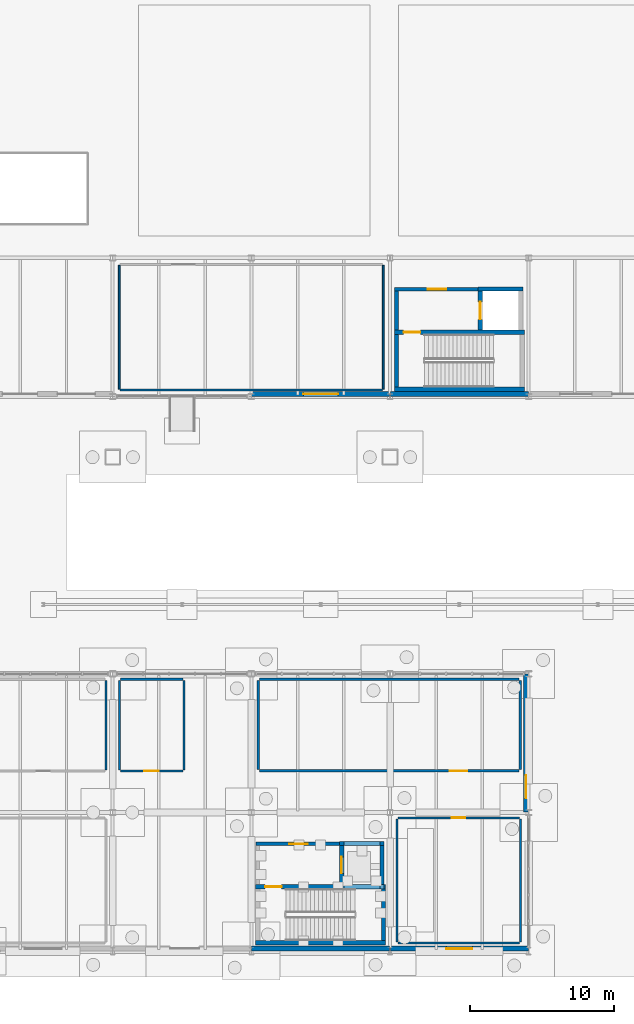
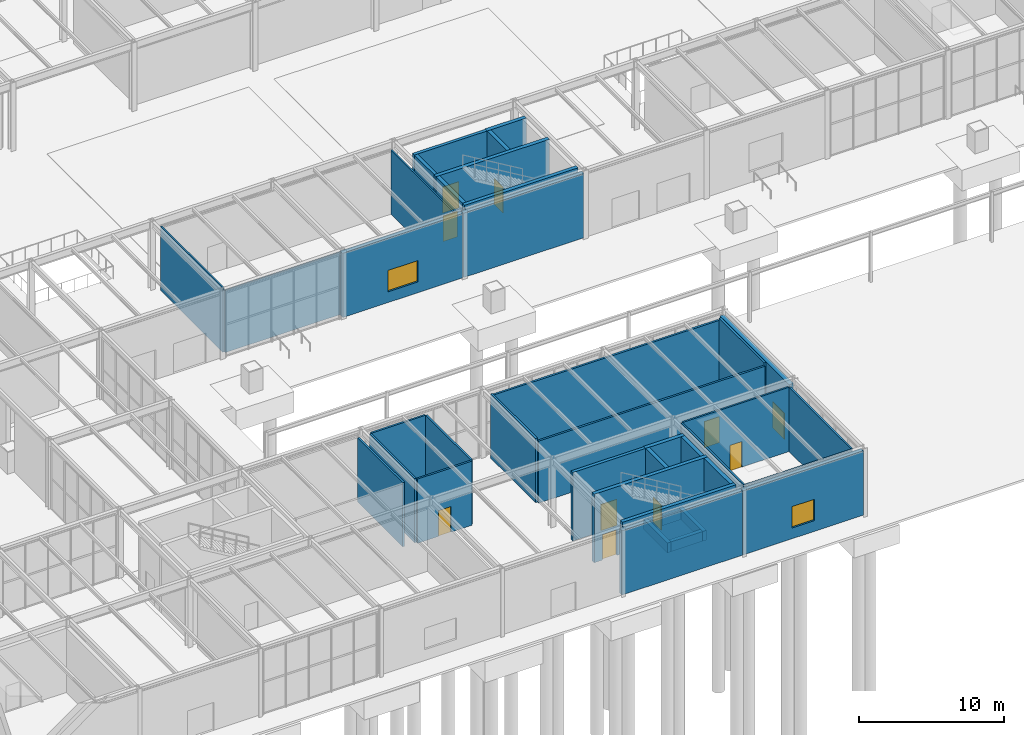
# One storey, part 119 of 142: 39 walls, 10 doors, 2 windows, 12 openings.
"""IFC4 building model written with IfcOpenShell, lengths in metres."""

from ifc_helpers import new_model, si_unit, direction, frame, frame_2d, origin, place, context, subcontext, project, spatial, rectangle, extrude, material, layer, layer_set, type_object, element, fill, save


model = new_model("IFC4")

# Units and contexts
model_context = context("Model", 3, precision=1e-05, world=origin(), true_north=direction((0.0, 1.0)))
body_context = subcontext(model_context, "Body", "Model", "MODEL_VIEW")
ifc_project = project(units=[si_unit("LENGTHUNIT", "METRE"), si_unit("AREAUNIT", "SQUARE_METRE"), si_unit("VOLUMEUNIT", "CUBIC_METRE"), si_unit("PLANEANGLEUNIT", "RADIAN"), si_unit("MASSUNIT", "GRAM", prefix="KILO")], contexts=[model_context])

# Site, building, storey
site_placement = place(None, origin())
site = spatial("IfcSite", under=ifc_project, at=site_placement, CompositionType="ELEMENT")
building_placement = place(site_placement, origin())
building = spatial("IfcBuilding", under=site, at=building_placement, Name="Coralgate Yard Interchange", CompositionType="ELEMENT")
storey_placement = place(building_placement, origin())
storey = spatial("IfcBuildingStorey", under=building, at=storey_placement, Name="L00", CompositionType="ELEMENT", Elevation=0.0)

# Wall
ifc_material_1 = material(Name="Concrete C40/50", Category="concrete")
ifc_layer_1 = layer(ifc_material_1, 0.300048828125)
ifc_layer_set_1 = layer_set([ifc_layer_1], Name="Concrete C40/50")
wall_type_1 = type_object("IfcWallType", Name="WAL-CW300", PredefinedType="SHEAR", material=ifc_layer_set_1)
wall_1_placement = place(storey_placement, frame((77.10009765625, 0.570068359375, 0.0), z_axis=(0.0, 0.0, 1.0), x_axis=(1.0, 0.0, 0.0)))
element("IfcWall", 1, at=wall_1_placement, inside=storey, type_object=wall_type_1, Name="C4 L00 stair south shear wall", PredefinedType="SHEAR", context=body_context, shape_type="SweptSolid", body=[
    extrude(rectangle(XDim=9.0, YDim=0.300048828125, at=frame_2d((4.5, 0.0))), origin(), (0.0, 0.0, 1.0), 5.75),
])

# Wall, opening, door
wall_2_placement = place(storey_placement, frame((86.10009765625, 4.449951171875, 0.0), z_axis=(0.0, 0.0, 1.0), x_axis=(-1.0, 0.0, 0.0)))
wall_2 = element("IfcWall", 2, at=wall_2_placement, inside=storey, type_object=wall_type_1, Name="C4 L00 stair north shear wall", PredefinedType="SHEAR", context=body_context, shape_type="SweptSolid", body=[
    extrude(rectangle(XDim=9.0, YDim=0.300048828125, at=frame_2d((4.5, 0.0))), origin(), (0.0, 0.0, 1.0), 5.75),
])
opening_1_placement = place(wall_2_placement, frame((7.199951171875, 0.0, 0.0)))
opening_1 = element("IfcOpeningElement", 3, at=opening_1_placement, cuts=wall_2, Name="Opening FD-1B", PredefinedType="OPENING", context=body_context, shape_type="SweptSolid", body=[
    extrude(rectangle(XDim=1.14990234375, YDim=2.14990234375, at=frame_2d((0.574951171875, 1.074951171875))), frame((0.0, 0.159912109375, 0.0), z_axis=(0.0, -1.0, 0.0), x_axis=(1.0, 0.0, 0.0)), (0.0, 0.0, 1.0), 0.320068359375),
])
ifc_material_2 = material(Name="Powder-coated steel fire door assembly", Category="steel")
door_type_1 = type_object("IfcDoorType", Name="DOR-FD-1B", OperationType="NOTDEFINED", PredefinedType="DOOR", material=ifc_material_2)
door_1_placement = place(opening_1_placement, origin())
door_1 = element("IfcDoor", 4, at=door_1_placement, inside=storey, type_object=door_type_1, Name="C4 L00 stair fire door", OperationType="SINGLE_SWING_RIGHT", OverallHeight=2.14990234375, OverallWidth=1.14990234375, PredefinedType="DOOR", context=body_context, shape_type="SweptSolid", body=[
    extrude(rectangle(XDim=1.14990234375, YDim=2.14990234375, at=frame_2d((0.574951171875, 1.074951171875))), frame((0.0, 0.02490234375, 0.0), z_axis=(0.0, -1.0, 0.0), x_axis=(1.0, 0.0, 0.0)), (0.0, 0.0, 1.0), 0.050048828125),
])
fill(opening_1, door_1)

# Wall
wall_3_placement = place(storey_placement, frame((85.949951171875, 4.300048828125, 0.0), z_axis=(0.0, 0.0, 1.0), x_axis=(0.0, -1.0, 0.0)))
element("IfcWall", 5, at=wall_3_placement, inside=storey, type_object=wall_type_1, Name="C4 L00 stair east shear wall", PredefinedType="SHEAR", context=body_context, shape_type="SweptSolid", body=[
    extrude(rectangle(XDim=3.580078125, YDim=0.300048828125, at=frame_2d((1.7900390625, 0.0))), origin(), (0.0, 0.0, 1.0), 5.75),
])

# Wall, opening, door
wall_4_placement = place(storey_placement, frame((83.050048828125, 7.300048828125, 0.0), z_axis=(0.0, 0.0, 1.0), x_axis=(0.0, -1.0, 0.0)))
wall_4 = element("IfcWall", 6, at=wall_4_placement, inside=storey, type_object=wall_type_1, Name="C4 L00 lift front shear wall", PredefinedType="SHEAR", context=body_context, shape_type="SweptSolid", body=[
    extrude(rectangle(XDim=2.699951171875, YDim=0.300048828125, at=frame_2d((1.35009765625, 0.0))), origin(), (0.0, 0.0, 1.0), 5.75),
])
opening_2_placement = place(wall_4_placement, frame((0.77490234375, 0.0, 0.0)))
opening_2 = element("IfcOpeningElement", 7, at=opening_2_placement, cuts=wall_4, Name="Opening LD-2", PredefinedType="OPENING", context=body_context, shape_type="SweptSolid", body=[
    extrude(rectangle(XDim=1.14990234375, YDim=2.10009765625, at=frame_2d((0.574951171875, 1.050048828125))), frame((0.0, 0.159912109375, 0.0), z_axis=(0.0, -1.0, 0.0), x_axis=(1.0, 0.0, 0.0)), (0.0, 0.0, 1.0), 0.320068359375),
])
ifc_material_3 = material(Name="Brushed stainless steel passenger lift landing door", Category="steel")
door_type_2 = type_object("IfcDoorType", Name="DOR-LD-2", OperationType="DOUBLE_DOOR_SLIDING", PredefinedType="DOOR", material=ifc_material_3)
door_2_placement = place(opening_2_placement, frame((1.14990234375, 0.0, 0.0), z_axis=(0.0, 0.0, 1.0), x_axis=(-1.0, 0.0, 0.0)))
door_2 = element("IfcDoor", 8, at=door_2_placement, inside=storey, type_object=door_type_2, Name="LF-02 L00 sliding lift landing door", OperationType="DOUBLE_DOOR_SLIDING", OverallHeight=2.10009765625, OverallWidth=1.14990234375, PredefinedType="DOOR", context=body_context, shape_type="SweptSolid", body=[
    extrude(rectangle(XDim=1.14990234375, YDim=2.10009765625, at=frame_2d((0.574951171875, 1.050048828125))), frame((0.0, 0.02490234375, 0.0), z_axis=(0.0, -1.0, 0.0), x_axis=(1.0, 0.0, 0.0)), (0.0, 0.0, 1.0), 0.050048828125),
])
fill(opening_2, door_2)

# Walls
wall_5_placement = place(storey_placement, frame((85.85009765625, 4.60009765625, 0.0), z_axis=(0.0, 0.0, 1.0), x_axis=(0.0, 1.0, 0.0)))
element("IfcWall", 9, at=wall_5_placement, inside=storey, type_object=wall_type_1, Name="C4 L00 lift rear shear wall", PredefinedType="SHEAR", context=body_context, shape_type="SweptSolid", body=[
    extrude(rectangle(XDim=2.699951171875, YDim=0.300048828125, at=frame_2d((1.35009765625, 0.0))), origin(), (0.0, 0.0, 1.0), 5.75),
])
wall_6_placement = place(storey_placement, frame((82.89990234375, 7.449951171875, 0.0), z_axis=(0.0, 0.0, 1.0), x_axis=(1.0, 0.0, 0.0)))
element("IfcWall", 10, at=wall_6_placement, inside=storey, type_object=wall_type_1, Name="C4 L00 lift north shear wall", PredefinedType="SHEAR", context=body_context, shape_type="SweptSolid", body=[
    extrude(rectangle(XDim=3.10009765625, YDim=0.300048828125, at=frame_2d((1.550048828125, 0.0))), origin(), (0.0, 0.0, 1.0), 5.75),
])
for number, where, z_axis, x_axis, name in (
    (11, (83.050048828125, 4.300048828125, -1.199951171875), (0.0, 0.0, 1.0), (0.0, 1.0, 0.0), "LF-02 lift pit wall W"),
    (12, (85.85009765625, 4.300048828125, -1.199951171875), (0.0, 0.0, 1.0), (0.0, 1.0, 0.0), "LF-02 lift pit wall E"),
):
    element("IfcWall", number, at=place(storey_placement, frame(where, z_axis=z_axis, x_axis=x_axis)), inside=storey, type_object=wall_type_1, Name=name, PredefinedType="SHEAR", context=body_context, shape_type="SweptSolid", body=[
        extrude(rectangle(XDim=3.300048828125, YDim=0.300048828125, at=frame_2d((1.64990234375, 0.0))), origin(), (0.0, 0.0, 1.0), 0.820068359375),
    ])
for number, where, z_axis, x_axis, name in (
    (13, (83.199951171875, 4.449951171875, -1.199951171875), (0.0, 0.0, 1.0), (1.0, 0.0, 0.0), "LF-02 lift pit wall S"),
    (14, (83.199951171875, 7.449951171875, -1.199951171875), (0.0, 0.0, 1.0), (1.0, 0.0, 0.0), "LF-02 lift pit wall N"),
):
    element("IfcWall", number, at=place(storey_placement, frame(where, z_axis=z_axis, x_axis=x_axis)), inside=storey, type_object=wall_type_1, Name=name, PredefinedType="SHEAR", context=body_context, shape_type="SweptSolid", body=[
        extrude(rectangle(XDim=2.5, YDim=0.300048828125, at=frame_2d((1.25, 0.0))), origin(), (0.0, 0.0, 1.0), 0.820068359375),
    ])
wall_7_placement = place(storey_placement, frame((86.699951171875, 38.89990234375, 0.0), z_axis=(0.0, 0.0, 1.0), x_axis=(1.0, 0.0, 0.0)))
element("IfcWall", 15, at=wall_7_placement, inside=storey, type_object=wall_type_1, Name="C6 L00 stair south shear wall", PredefinedType="SHEAR", context=body_context, shape_type="SweptSolid", body=[
    extrude(rectangle(XDim=9.0, YDim=0.300048828125, at=frame_2d((4.5, 0.0))), origin(), (0.0, 0.0, 1.0), 5.75),
])

# Wall, opening, door
wall_8_placement = place(storey_placement, frame((95.699951171875, 42.85009765625, 0.0), z_axis=(0.0, 0.0, 1.0), x_axis=(-1.0, 0.0, 0.0)))
wall_8 = element("IfcWall", 16, at=wall_8_placement, inside=storey, type_object=wall_type_1, Name="C6 L00 stair north shear wall", PredefinedType="SHEAR", context=body_context, shape_type="SweptSolid", body=[
    extrude(rectangle(XDim=9.0, YDim=0.300048828125, at=frame_2d((4.5, 0.0))), origin(), (0.0, 0.0, 1.0), 5.75),
])
opening_3_placement = place(wall_8_placement, frame((7.199951171875, 0.0, 0.0)))
opening_3 = element("IfcOpeningElement", 17, at=opening_3_placement, cuts=wall_8, Name="Opening FD-1B", PredefinedType="OPENING", context=body_context, shape_type="SweptSolid", body=[
    extrude(rectangle(XDim=1.14990234375, YDim=2.14990234375, at=frame_2d((0.574951171875, 1.074951171875))), frame((0.0, 0.159912109375, 0.0), z_axis=(0.0, -1.0, 0.0), x_axis=(1.0, 0.0, 0.0)), (0.0, 0.0, 1.0), 0.320068359375),
])
door_3_placement = place(opening_3_placement, origin())
door_3 = element("IfcDoor", 18, at=door_3_placement, inside=storey, type_object=door_type_1, Name="C6 L00 stair fire door", OperationType="SINGLE_SWING_RIGHT", OverallHeight=2.14990234375, OverallWidth=1.14990234375, PredefinedType="DOOR", context=body_context, shape_type="SweptSolid", body=[
    extrude(rectangle(XDim=1.14990234375, YDim=2.14990234375, at=frame_2d((0.574951171875, 1.074951171875))), frame((0.0, 0.02490234375, 0.0), z_axis=(0.0, -1.0, 0.0), x_axis=(1.0, 0.0, 0.0)), (0.0, 0.0, 1.0), 0.050048828125),
])
fill(opening_3, door_3)

# Wall
wall_9_placement = place(storey_placement, frame((86.85009765625, 39.050048828125, 0.0), z_axis=(0.0, 0.0, 1.0), x_axis=(0.0, 1.0, 0.0)))
element("IfcWall", 19, at=wall_9_placement, inside=storey, type_object=wall_type_1, Name="C6 L00 stair west shear wall", PredefinedType="SHEAR", context=body_context, shape_type="SweptSolid", body=[
    extrude(rectangle(XDim=3.64990234375, YDim=0.300048828125, at=frame_2d((1.824951171875, 0.0))), origin(), (0.0, 0.0, 1.0), 5.75),
])

# Wall, opening, door
wall_10_placement = place(storey_placement, frame((92.64990234375, 45.699951171875, 0.0), z_axis=(0.0, 0.0, 1.0), x_axis=(0.0, -1.0, 0.0)))
wall_10 = element("IfcWall", 20, at=wall_10_placement, inside=storey, type_object=wall_type_1, Name="C6 L00 lift front shear wall", PredefinedType="SHEAR", context=body_context, shape_type="SweptSolid", body=[
    extrude(rectangle(XDim=2.699951171875, YDim=0.300048828125, at=frame_2d((1.35009765625, 0.0))), origin(), (0.0, 0.0, 1.0), 5.75),
])
opening_4_placement = place(wall_10_placement, frame((0.739990234375, 0.0, 0.0)))
opening_4 = element("IfcOpeningElement", 21, at=opening_4_placement, cuts=wall_10, Name="Opening LD-3", PredefinedType="OPENING", context=body_context, shape_type="SweptSolid", body=[
    extrude(rectangle(XDim=1.219970703125, YDim=2.14990234375, at=frame_2d((0.60986328125, 1.074951171875))), frame((0.0, 0.159912109375, 0.0), z_axis=(0.0, -1.0, 0.0), x_axis=(1.0, 0.0, 0.0)), (0.0, 0.0, 1.0), 0.320068359375),
])
ifc_material_4 = material(Name="Brushed stainless steel concourse lift landing door", Category="steel")
door_type_3 = type_object("IfcDoorType", Name="DOR-LD-3", OperationType="DOUBLE_DOOR_SLIDING", PredefinedType="DOOR", material=ifc_material_4)
door_4_placement = place(opening_4_placement, frame((1.219970703125, 0.0, 0.0), z_axis=(0.0, 0.0, 1.0), x_axis=(-1.0, 0.0, 0.0)))
door_4 = element("IfcDoor", 22, at=door_4_placement, inside=storey, type_object=door_type_3, Name="LF-04 L00 sliding lift landing door", OperationType="DOUBLE_DOOR_SLIDING", OverallHeight=2.14990234375, OverallWidth=1.219970703125, PredefinedType="DOOR", context=body_context, shape_type="SweptSolid", body=[
    extrude(rectangle(XDim=1.219970703125, YDim=2.14990234375, at=frame_2d((0.60986328125, 1.074951171875))), frame((0.0, 0.02490234375, 0.0), z_axis=(0.0, -1.0, 0.0), x_axis=(1.0, 0.0, 0.0)), (0.0, 0.0, 1.0), 0.050048828125),
])
fill(opening_4, door_4)

# Walls
wall_11_placement = place(storey_placement, frame((92.5, 45.85009765625, 0.0), z_axis=(0.0, 0.0, 1.0), x_axis=(1.0, 0.0, 0.0)))
element("IfcWall", 23, at=wall_11_placement, inside=storey, type_object=wall_type_1, Name="C6 L00 lift north shear wall", PredefinedType="SHEAR", context=body_context, shape_type="SweptSolid", body=[
    extrude(rectangle(XDim=3.10009765625, YDim=0.300048828125, at=frame_2d((1.550048828125, 0.0))), origin(), (0.0, 0.0, 1.0), 5.75),
])
ifc_material_5 = material(Name="Precast concrete C40/50", Category="concrete")
ifc_layer_2 = layer(ifc_material_5, 0.35009765625)
ifc_layer_set_2 = layer_set([ifc_layer_2], Name="Precast concrete C40/50")
wall_type_2 = type_object("IfcWallType", Name="WAL-EW-350", PredefinedType="SOLIDWALL", material=ifc_layer_set_2)
wall_12_placement = place(storey_placement, frame((86.3798828125, 0.175048828125, 0.0), z_axis=(0.0, 0.0, 1.0), x_axis=(-1.0, 0.0, 0.0)))
element("IfcWall", 24, at=wall_12_placement, inside=storey, type_object=wall_type_2, Name="L00 exterior coastal wall S 8-0", PredefinedType="SOLIDWALL", context=body_context, shape_type="SweptSolid", body=[
    extrude(rectangle(XDim=9.559814453125, YDim=0.35009765625, at=frame_2d((4.77978515625, 0.0))), origin(), (0.0, 0.0, 1.0), 5.39990234375),
])

# Wall, opening, window
wall_13_placement = place(storey_placement, frame((86.3798828125, 38.574951171875, 0.0), z_axis=(0.0, 0.0, 1.0), x_axis=(-1.0, 0.0, 0.0)))
wall_13 = element("IfcWall", 25, at=wall_13_placement, inside=storey, type_object=wall_type_2, Name="L00 exterior coastal wall S 8-4", PredefinedType="SOLIDWALL", context=body_context, shape_type="SweptSolid", body=[
    extrude(rectangle(XDim=9.559814453125, YDim=0.35009765625, at=frame_2d((4.77978515625, 0.0))), origin(), (0.0, 0.0, 1.0), 5.39990234375),
])
opening_5_placement = place(wall_13_placement, frame((3.580078125, 0.0, 0.89990234375)))
opening_5 = element("IfcOpeningElement", 26, at=opening_5_placement, cuts=wall_13, Name="Opening W-05", PredefinedType="OPENING", context=body_context, shape_type="SweptSolid", body=[
    extrude(rectangle(XDim=2.39990234375, YDim=1.800048828125, at=frame_2d((1.199951171875, 0.89990234375))), frame((0.0, 0.18505859375, 0.0), z_axis=(0.0, -1.0, 0.0), x_axis=(1.0, 0.0, 0.0)), (0.0, 0.0, 1.0), 0.3701171875),
])
ifc_material_6 = material(Name="Thermally broken anodised aluminium and solar-control low-E glass", Category="aluminium")
window_type_1 = type_object("IfcWindowType", Name="WIN-W-05", PartitioningType="SINGLE_PANEL", PredefinedType="WINDOW", material=ifc_material_6)
window_1_placement = place(opening_5_placement, origin())
window_1 = element("IfcWindow", 27, at=window_1_placement, inside=storey, type_object=window_type_1, Name="L00 coastal facade window S-8-4", OverallHeight=1.800048828125, OverallWidth=2.39990234375, PartitioningType="SINGLE_PANEL", PredefinedType="WINDOW", context=body_context, shape_type="SweptSolid", body=[
    extrude(rectangle(XDim=2.39990234375, YDim=1.800048828125, at=frame_2d((1.199951171875, 0.89990234375))), frame((0.0, 0.030029296875, 0.0), z_axis=(0.0, -1.0, 0.0), x_axis=(1.0, 0.0, 0.0)), (0.0, 0.0, 1.0), 0.06005859375),
])
fill(opening_5, window_1)

wall_14_placement = place(storey_placement, frame((95.97998046875, 0.175048828125, 0.0), z_axis=(0.0, 0.0, 1.0), x_axis=(-1.0, 0.0, 0.0)))
wall_14 = element("IfcWall", 28, at=wall_14_placement, inside=storey, type_object=wall_type_2, Name="L00 exterior coastal wall S 9-0", PredefinedType="SOLIDWALL", context=body_context, shape_type="SweptSolid", body=[
    extrude(rectangle(XDim=9.56005859375, YDim=0.35009765625, at=frame_2d((4.780029296875, 0.0))), origin(), (0.0, 0.0, 1.0), 5.39990234375),
])
opening_6_placement = place(wall_14_placement, frame((3.8798828125, 0.0, 0.89990234375)))
opening_6 = element("IfcOpeningElement", 29, at=opening_6_placement, cuts=wall_14, Name="Opening W-04", PredefinedType="OPENING", context=body_context, shape_type="SweptSolid", body=[
    extrude(rectangle(XDim=1.800048828125, YDim=1.800048828125, at=frame_2d((0.89990234375, 0.89990234375))), frame((0.0, 0.18505859375, 0.0), z_axis=(0.0, -1.0, 0.0), x_axis=(1.0, 0.0, 0.0)), (0.0, 0.0, 1.0), 0.3701171875),
])
window_type_2 = type_object("IfcWindowType", Name="WIN-W-04", PartitioningType="SINGLE_PANEL", PredefinedType="WINDOW", material=ifc_material_6)
window_2_placement = place(opening_6_placement, origin())
window_2 = element("IfcWindow", 30, at=window_2_placement, inside=storey, type_object=window_type_2, Name="L00 coastal facade window S-9-0", OverallHeight=1.800048828125, OverallWidth=1.800048828125, PartitioningType="SINGLE_PANEL", PredefinedType="WINDOW", context=body_context, shape_type="SweptSolid", body=[
    extrude(rectangle(XDim=1.800048828125, YDim=1.800048828125, at=frame_2d((0.89990234375, 0.89990234375))), frame((0.0, 0.030029296875, 0.0), z_axis=(0.0, -1.0, 0.0), x_axis=(1.0, 0.0, 0.0)), (0.0, 0.0, 1.0), 0.06005859375),
])
fill(opening_6, window_2)

# Wall, opening, door
wall_15_placement = place(storey_placement, frame((95.824951171875, 19.179931640625, 0.0), z_axis=(0.0, 0.0, 1.0), x_axis=(0.0, -1.0, 0.0)))
wall_15 = element("IfcWall", 31, at=wall_15_placement, inside=storey, type_object=wall_type_2, Name="L00 exterior coastal wall E 9-1", PredefinedType="SOLIDWALL", context=body_context, shape_type="SweptSolid", body=[
    extrude(rectangle(XDim=9.559814453125, YDim=0.35009765625, at=frame_2d((4.77978515625, 0.0))), origin(), (0.0, 0.0, 1.0), 5.216796875),
])
opening_7_placement = place(wall_15_placement, frame((7.0, 0.0, 0.0)))
opening_7 = element("IfcOpeningElement", 32, at=opening_7_placement, cuts=wall_15, Name="Opening ED-4", PredefinedType="OPENING", context=body_context, shape_type="SweptSolid", body=[
    extrude(rectangle(XDim=1.60009765625, YDim=2.199951171875, at=frame_2d((0.800048828125, 1.10009765625))), frame((0.0, 0.18505859375, 0.0), z_axis=(0.0, -1.0, 0.0), x_axis=(1.0, 0.0, 0.0)), (0.0, 0.0, 1.0), 0.3701171875),
])
ifc_material_7 = material(Name="Powder-coated steel emergency exit double door", Category="steel")
door_type_4 = type_object("IfcDoorType", Name="DOR-ED-4", OperationType="NOTDEFINED", PredefinedType="DOOR", material=ifc_material_7)
door_5_placement = place(opening_7_placement, origin())
door_5 = element("IfcDoor", 33, at=door_5_placement, inside=storey, type_object=door_type_4, Name="L00 final exit double door ED-15", OperationType="DOUBLE_DOOR_SINGLE_SWING", OverallHeight=2.199951171875, OverallWidth=1.60009765625, PredefinedType="DOOR", context=body_context, shape_type="SweptSolid", body=[
    extrude(rectangle(XDim=1.60009765625, YDim=2.199951171875, at=frame_2d((0.800048828125, 1.10009765625))), frame((0.0, 0.02490234375, 0.0), z_axis=(0.0, -1.0, 0.0), x_axis=(1.0, 0.0, 0.0)), (0.0, 0.0, 1.0), 0.050048828125),
])
fill(opening_7, door_5)

# Walls
wall_16_placement = place(storey_placement, frame((95.97998046875, 38.574951171875, 0.0), z_axis=(0.0, 0.0, 1.0), x_axis=(-1.0, 0.0, 0.0)))
element("IfcWall", 34, at=wall_16_placement, inside=storey, type_object=wall_type_2, Name="L00 exterior coastal wall S 9-4", PredefinedType="SOLIDWALL", context=body_context, shape_type="SweptSolid", body=[
    extrude(rectangle(XDim=9.56005859375, YDim=0.35009765625, at=frame_2d((4.780029296875, 0.0))), origin(), (0.0, 0.0, 1.0), 5.39990234375),
])
ifc_material_8 = material(Name="Lightweight steel-stud retail partition", Category="steel")
ifc_layer_3 = layer(ifc_material_8, 0.1201171875)
ifc_layer_set_3 = layer_set([ifc_layer_3], Name="Lightweight steel-stud retail partition")
wall_type_3 = type_object("IfcWallType", Name="WAL-PW-120", PredefinedType="PARTITIONING", material=ifc_layer_set_3)
wall_17_placement = place(storey_placement, frame((85.8798828125, 38.860107421875, 0.0), z_axis=(0.0, 0.0, 1.0), x_axis=(-1.0, 0.0, 0.0)))
element("IfcWall", 35, at=wall_17_placement, inside=storey, type_object=wall_type_3, Name="Concourse Pharmacy Retail 02 partition S", PredefinedType="PARTITIONING", context=body_context, shape_type="SweptSolid", body=[
    extrude(rectangle(XDim=18.159912109375, YDim=0.1201171875, at=frame_2d((9.080078125, 0.0))), origin(), (0.0, 0.0, 1.0), 5.206787109375),
])
for number, where, z_axis, x_axis, name in (
    (36, (67.659912109375, 38.919921875, 0.0), (0.0, 0.0, 1.0), (0.0, 1.0, 0.0), "Concourse Pharmacy Retail 02 partition W"),
    (37, (85.93994140625, 47.47998046875, 0.0), (0.0, 0.0, 1.0), (0.0, -1.0, 0.0), "Concourse Pharmacy Retail 02 partition E"),
):
    element("IfcWall", number, at=place(storey_placement, frame(where, z_axis=z_axis, x_axis=x_axis)), inside=storey, type_object=wall_type_3, Name=name, PredefinedType="PARTITIONING", context=body_context, shape_type="SweptSolid", body=[
        extrude(rectangle(XDim=8.56005859375, YDim=0.1201171875, at=frame_2d((4.280029296875, 0.0))), origin(), (0.0, 0.0, 1.0), 5.389892578125),
    ])
ifc_material_9 = material(Name="Acoustic twin-stud office partition")
ifc_layer_4 = layer(ifc_material_9, 0.139892578125)
ifc_layer_set_4 = layer_set([ifc_layer_4], Name="Acoustic twin-stud office partition")
wall_type_4 = type_object("IfcWallType", Name="WAL-PW-140", PredefinedType="PARTITIONING", material=ifc_layer_set_4)
wall_18_placement = place(storey_placement, frame((95.360107421875, 0.570068359375, 0.0), z_axis=(0.0, 0.0, 1.0), x_axis=(-1.0, 0.0, 0.0)))
element("IfcWall", 38, at=wall_18_placement, inside=storey, type_object=wall_type_4, Name="Station Duty Manager Office partition S", PredefinedType="PARTITIONING", context=body_context, shape_type="SweptSolid", body=[
    extrude(rectangle(XDim=8.420166015625, YDim=0.139892578125, at=frame_2d((4.2099609375, 0.0))), origin(), (0.0, 0.0, 1.0), 5.389892578125),
])

# Wall, opening, door
wall_19_placement = place(storey_placement, frame((86.93994140625, 9.22998046875, 0.0), z_axis=(0.0, 0.0, 1.0), x_axis=(1.0, 0.0, 0.0)))
wall_19 = element("IfcWall", 39, at=wall_19_placement, inside=storey, type_object=wall_type_4, Name="Station Duty Manager Office partition N", PredefinedType="PARTITIONING", context=body_context, shape_type="SweptSolid", body=[
    extrude(rectangle(XDim=8.420166015625, YDim=0.139892578125, at=frame_2d((4.2099609375, 0.0))), origin(), (0.0, 0.0, 1.0), 5.389892578125),
])
opening_8_placement = place(wall_19_placement, frame((3.75, 0.0, 0.0)))
opening_8 = element("IfcOpeningElement", 40, at=opening_8_placement, cuts=wall_19, Name="Opening ID-11", PredefinedType="OPENING", context=body_context, shape_type="SweptSolid", body=[
    extrude(rectangle(XDim=0.919921875, YDim=2.14990234375, at=frame_2d((0.4599609375, 1.074951171875))), frame((0.0, 0.079833984375, 0.0), z_axis=(0.0, -1.0, 0.0), x_axis=(1.0, 0.0, 0.0)), (0.0, 0.0, 1.0), 0.159912109375),
])
ifc_material_10 = material(Name="Timber administrative room door", Category="wood")
door_type_5 = type_object("IfcDoorType", Name="DOR-ID-11", OperationType="NOTDEFINED", PredefinedType="DOOR", material=ifc_material_10)
door_6_placement = place(opening_8_placement, frame((0.919921875, 0.0, 0.0), z_axis=(0.0, 0.0, 1.0), x_axis=(-1.0, 0.0, 0.0)))
door_6 = element("IfcDoor", 41, at=door_6_placement, inside=storey, type_object=door_type_5, Name="Station Duty Manager Office door", OperationType="SINGLE_SWING_LEFT", OverallHeight=2.14990234375, OverallWidth=0.919921875, PredefinedType="DOOR", context=body_context, shape_type="SweptSolid", body=[
    extrude(rectangle(XDim=0.919921875, YDim=2.14990234375, at=frame_2d((0.4599609375, 1.074951171875))), frame((0.0, 0.02490234375, 0.0), z_axis=(0.0, -1.0, 0.0), x_axis=(1.0, 0.0, 0.0)), (0.0, 0.0, 1.0), 0.050048828125),
])
fill(opening_8, door_6)

# Walls
for number, where, z_axis, x_axis, name in (
    (42, (86.8701171875, 0.639892578125, 0.0), (0.0, 0.0, 1.0), (0.0, 1.0, 0.0), "Station Duty Manager Office partition W"),
    (43, (95.429931640625, 9.159912109375, 0.0), (0.0, 0.0, 1.0), (0.0, -1.0, 0.0), "Station Duty Manager Office partition E"),
):
    element("IfcWall", number, at=place(storey_placement, frame(where, z_axis=z_axis, x_axis=x_axis)), inside=storey, type_object=wall_type_4, Name=name, PredefinedType="PARTITIONING", context=body_context, shape_type="SweptSolid", body=[
        extrude(rectangle(XDim=8.52001953125, YDim=0.139892578125, at=frame_2d((4.260009765625, 0.0))), origin(), (0.0, 0.0, 1.0), 5.389892578125),
    ])
ifc_material_11 = material(Name="Moisture-resistant masonry washroom wall", Category="masonry")
ifc_layer_5 = layer(ifc_material_11, 0.14990234375)
ifc_layer_set_5 = layer_set([ifc_layer_5], Name="Moisture-resistant masonry washroom wall")
wall_type_5 = type_object("IfcWallType", Name="WAL-PW-150", PredefinedType="PLUMBINGWALL", material=ifc_layer_set_5)
wall_20_placement = place(storey_placement, frame((66.72509765625, 18.75, 0.0), z_axis=(0.0, 0.0, 1.0), x_axis=(0.0, -1.0, 0.0)))
element("IfcWall", 44, at=wall_20_placement, inside=storey, type_object=wall_type_5, Name="Operations Ground Staff Washroom partition E", PredefinedType="PLUMBINGWALL", context=body_context, shape_type="SweptSolid", body=[
    extrude(rectangle(XDim=6.199951171875, YDim=0.14990234375, at=frame_2d((3.10009765625, 0.0))), origin(), (0.0, 0.0, 1.0), 5.389892578125),
])

# Wall, opening, door
wall_21_placement = place(storey_placement, frame((72.050048828125, 12.47509765625, 0.0), z_axis=(0.0, 0.0, 1.0), x_axis=(-1.0, 0.0, 0.0)))
wall_21 = element("IfcWall", 45, at=wall_21_placement, inside=storey, type_object=wall_type_5, Name="Operations Ground Accessible WC partition S", PredefinedType="PLUMBINGWALL", context=body_context, shape_type="SweptSolid", body=[
    extrude(rectangle(XDim=4.300048828125, YDim=0.14990234375, at=frame_2d((2.14990234375, 0.0))), origin(), (0.0, 0.0, 1.0), 5.389892578125),
])
opening_9_placement = place(wall_21_placement, frame((1.64990234375, 0.0, 0.0)))
opening_9 = element("IfcOpeningElement", 46, at=opening_9_placement, cuts=wall_21, Name="Opening ID-02", PredefinedType="OPENING", context=body_context, shape_type="SweptSolid", body=[
    extrude(rectangle(XDim=1.0, YDim=2.14990234375, at=frame_2d((0.5, 1.074951171875))), frame((0.0, 0.0849609375, 0.0), z_axis=(0.0, -1.0, 0.0), x_axis=(1.0, 0.0, 0.0)), (0.0, 0.0, 1.0), 0.169921875),
])
ifc_material_12 = material(Name="Accessible wide-leaf washroom and office door")
door_type_6 = type_object("IfcDoorType", Name="DOR-ID-02", OperationType="NOTDEFINED", PredefinedType="DOOR", material=ifc_material_12)
door_7_placement = place(opening_9_placement, frame((1.0, 0.0, 0.0), z_axis=(0.0, 0.0, 1.0), x_axis=(-1.0, 0.0, 0.0)))
door_7 = element("IfcDoor", 47, at=door_7_placement, inside=storey, type_object=door_type_6, Name="Operations Ground Accessible WC door", OperationType="SINGLE_SWING_RIGHT", OverallHeight=2.14990234375, OverallWidth=1.0, PredefinedType="DOOR", context=body_context, shape_type="SweptSolid", body=[
    extrude(rectangle(XDim=1.0, YDim=2.14990234375, at=frame_2d((0.5, 1.074951171875))), frame((0.0, 0.02490234375, 0.0), z_axis=(0.0, -1.0, 0.0), x_axis=(1.0, 0.0, 0.0)), (0.0, 0.0, 1.0), 0.050048828125),
])
fill(opening_9, door_7)

# Walls
wall_22_placement = place(storey_placement, frame((67.75, 18.824951171875, 0.0), z_axis=(0.0, 0.0, 1.0), x_axis=(1.0, 0.0, 0.0)))
element("IfcWall", 48, at=wall_22_placement, inside=storey, type_object=wall_type_5, Name="Operations Ground Accessible WC partition N", PredefinedType="PLUMBINGWALL", context=body_context, shape_type="SweptSolid", body=[
    extrude(rectangle(XDim=4.300048828125, YDim=0.14990234375, at=frame_2d((2.14990234375, 0.0))), origin(), (0.0, 0.0, 1.0), 5.389892578125),
])
for number, where, z_axis, x_axis, name in (
    (49, (67.675048828125, 12.550048828125, 0.0), (0.0, 0.0, 1.0), (0.0, 1.0, 0.0), "Operations Ground Accessible WC partition W"),
    (50, (72.125, 18.75, 0.0), (0.0, 0.0, 1.0), (0.0, -1.0, 0.0), "Operations Ground Accessible WC partition E"),
):
    element("IfcWall", number, at=place(storey_placement, frame(where, z_axis=z_axis, x_axis=x_axis)), inside=storey, type_object=wall_type_5, Name=name, PredefinedType="PLUMBINGWALL", context=body_context, shape_type="SweptSolid", body=[
        extrude(rectangle(XDim=6.199951171875, YDim=0.14990234375, at=frame_2d((3.10009765625, 0.0))), origin(), (0.0, 0.0, 1.0), 5.389892578125),
    ])

# Wall, opening, door
ifc_material_13 = material(Name="Fire-rated twin-stud gypsum partition")
ifc_layer_6 = layer(ifc_material_13, 0.159912109375)
ifc_layer_set_6 = layer_set([ifc_layer_6], Name="Fire-rated twin-stud gypsum partition")
wall_type_6 = type_object("IfcWallType", Name="WAL-PW-160", PredefinedType="PARTITIONING", material=ifc_layer_set_6)
wall_23_placement = place(storey_placement, frame((95.340087890625, 12.47998046875, 0.0), z_axis=(0.0, 0.0, 1.0), x_axis=(-1.0, 0.0, 0.0)))
wall_23 = element("IfcWall", 51, at=wall_23_placement, inside=storey, type_object=wall_type_6, Name="Concourse Cleaning Equipment Store partition S", PredefinedType="PARTITIONING", context=body_context, shape_type="SweptSolid", body=[
    extrude(rectangle(XDim=17.97998046875, YDim=0.159912109375, at=frame_2d((8.989990234375, 0.0))), origin(), (0.0, 0.0, 1.0), 5.206787109375),
])
opening_10_placement = place(wall_23_placement, frame((3.60009765625, 0.0, 0.0)))
opening_10 = element("IfcOpeningElement", 52, at=opening_10_placement, cuts=wall_23, Name="Opening ID-05", PredefinedType="OPENING", context=body_context, shape_type="SweptSolid", body=[
    extrude(rectangle(XDim=1.199951171875, YDim=2.199951171875, at=frame_2d((0.60009765625, 1.10009765625))), frame((0.0, 0.08984375, 0.0), z_axis=(0.0, -1.0, 0.0), x_axis=(1.0, 0.0, 0.0)), (0.0, 0.0, 1.0), 0.179931640625),
])
ifc_material_14 = material(Name="Powder-coated steel plant and store fire door", Category="steel")
door_type_7 = type_object("IfcDoorType", Name="DOR-ID-05", OperationType="NOTDEFINED", PredefinedType="DOOR", material=ifc_material_14)
door_8_placement = place(opening_10_placement, frame((1.199951171875, 0.0, 0.0), z_axis=(0.0, 0.0, 1.0), x_axis=(-1.0, 0.0, 0.0)))
door_8 = element("IfcDoor", 53, at=door_8_placement, inside=storey, type_object=door_type_7, Name="Concourse Cleaning Equipment Store door", OperationType="SINGLE_SWING_LEFT", OverallHeight=2.199951171875, OverallWidth=1.199951171875, PredefinedType="DOOR", context=body_context, shape_type="SweptSolid", body=[
    extrude(rectangle(XDim=1.199951171875, YDim=2.199951171875, at=frame_2d((0.60009765625, 1.10009765625))), frame((0.0, 0.02490234375, 0.0), z_axis=(0.0, -1.0, 0.0), x_axis=(1.0, 0.0, 0.0)), (0.0, 0.0, 1.0), 0.050048828125),
])
fill(opening_10, door_8)

# Walls
wall_24_placement = place(storey_placement, frame((77.360107421875, 18.820068359375, 0.0), z_axis=(0.0, 0.0, 1.0), x_axis=(1.0, 0.0, 0.0)))
element("IfcWall", 54, at=wall_24_placement, inside=storey, type_object=wall_type_6, Name="Concourse Cleaning Equipment Store partition N", PredefinedType="PARTITIONING", context=body_context, shape_type="SweptSolid", body=[
    extrude(rectangle(XDim=17.97998046875, YDim=0.159912109375, at=frame_2d((8.989990234375, 0.0))), origin(), (0.0, 0.0, 1.0), 5.206787109375),
])
for number, where, z_axis, x_axis, name in (
    (55, (77.280029296875, 12.56005859375, 0.0), (0.0, 0.0, 1.0), (0.0, 1.0, 0.0), "Concourse Cleaning Equipment Store partition W"),
    (56, (95.419921875, 18.739990234375, 0.0), (0.0, 0.0, 1.0), (0.0, -1.0, 0.0), "Concourse Cleaning Equipment Store partition E"),
):
    element("IfcWall", number, at=place(storey_placement, frame(where, z_axis=z_axis, x_axis=x_axis)), inside=storey, type_object=wall_type_6, Name=name, PredefinedType="PARTITIONING", context=body_context, shape_type="SweptSolid", body=[
        extrude(rectangle(XDim=6.179931640625, YDim=0.159912109375, at=frame_2d((3.08984375, 0.0))), origin(), (0.0, 0.0, 1.0), 5.389892578125),
    ])

# Wall, opening, door
ifc_layer_7 = layer(ifc_material_1, 0.25)
ifc_layer_set_7 = layer_set([ifc_layer_7], Name="Concrete C40/50")
wall_type_7 = type_object("IfcWallType", Name="WAL-SW250", PredefinedType="SHEAR", material=ifc_layer_set_7)
wall_25_placement = place(storey_placement, frame((82.89990234375, 7.425048828125, 0.0), z_axis=(0.0, 0.0, 1.0), x_axis=(-1.0, 0.0, 0.0)))
wall_25 = element("IfcWall", 57, at=wall_25_placement, inside=storey, type_object=wall_type_7, Name="C4 L00 lobby north fire wall", PredefinedType="SHEAR", context=body_context, shape_type="SweptSolid", body=[
    extrude(rectangle(XDim=5.77490234375, YDim=0.25, at=frame_2d((2.887451171875, 0.0))), origin(), (0.0, 0.0, 1.0), 5.75),
])
opening_11_placement = place(wall_25_placement, frame((2.199951171875, 0.0, 0.0)))
opening_11 = element("IfcOpeningElement", 58, at=opening_11_placement, cuts=wall_25, Name="Opening FD-2B", PredefinedType="OPENING", context=body_context, shape_type="SweptSolid", body=[
    extrude(rectangle(XDim=1.280029296875, YDim=2.199951171875, at=frame_2d((0.64013671875, 1.10009765625))), frame((0.0, 0.135009765625, 0.0), z_axis=(0.0, -1.0, 0.0), x_axis=(1.0, 0.0, 0.0)), (0.0, 0.0, 1.0), 0.27001953125),
])
door_type_8 = type_object("IfcDoorType", Name="DOR-FD-2B", OperationType="NOTDEFINED", PredefinedType="DOOR", material=ifc_material_2)
door_9_placement = place(opening_11_placement, origin())
door_9 = element("IfcDoor", 59, at=door_9_placement, inside=storey, type_object=door_type_8, Name="C4 L00 lobby fire door", OperationType="SINGLE_SWING_LEFT", OverallHeight=2.199951171875, OverallWidth=1.280029296875, PredefinedType="DOOR", context=body_context, shape_type="SweptSolid", body=[
    extrude(rectangle(XDim=1.280029296875, YDim=2.199951171875, at=frame_2d((0.64013671875, 1.10009765625))), frame((0.0, 0.02490234375, 0.0), z_axis=(0.0, -1.0, 0.0), x_axis=(1.0, 0.0, 0.0)), (0.0, 0.0, 1.0), 0.050048828125),
])
fill(opening_11, door_9)

wall_26_placement = place(storey_placement, frame((92.5, 45.824951171875, 0.0), z_axis=(0.0, 0.0, 1.0), x_axis=(-1.0, 0.0, 0.0)))
wall_26 = element("IfcWall", 60, at=wall_26_placement, inside=storey, type_object=wall_type_7, Name="C6 L00 lobby north fire wall", PredefinedType="SHEAR", context=body_context, shape_type="SweptSolid", body=[
    extrude(rectangle(XDim=5.77490234375, YDim=0.25, at=frame_2d((2.887451171875, 0.0))), origin(), (0.0, 0.0, 1.0), 5.75),
])
opening_12_placement = place(wall_26_placement, frame((2.199951171875, 0.0, 0.0)))
opening_12 = element("IfcOpeningElement", 61, at=opening_12_placement, cuts=wall_26, Name="Opening FD-2B", PredefinedType="OPENING", context=body_context, shape_type="SweptSolid", body=[
    extrude(rectangle(XDim=1.280029296875, YDim=2.199951171875, at=frame_2d((0.64013671875, 1.10009765625))), frame((0.0, 0.135009765625, 0.0), z_axis=(0.0, -1.0, 0.0), x_axis=(1.0, 0.0, 0.0)), (0.0, 0.0, 1.0), 0.27001953125),
])
door_10_placement = place(opening_12_placement, origin())
door_10 = element("IfcDoor", 62, at=door_10_placement, inside=storey, type_object=door_type_8, Name="C6 L00 lobby fire door", OperationType="SINGLE_SWING_LEFT", OverallHeight=2.199951171875, OverallWidth=1.280029296875, PredefinedType="DOOR", context=body_context, shape_type="SweptSolid", body=[
    extrude(rectangle(XDim=1.280029296875, YDim=2.199951171875, at=frame_2d((0.64013671875, 1.10009765625))), frame((0.0, 0.02490234375, 0.0), z_axis=(0.0, -1.0, 0.0), x_axis=(1.0, 0.0, 0.0)), (0.0, 0.0, 1.0), 0.050048828125),
])
fill(opening_12, door_10)

# Wall
wall_27_placement = place(storey_placement, frame((86.85009765625, 43.0, 0.0), z_axis=(0.0, 0.0, 1.0), x_axis=(0.0, 1.0, 0.0)))
element("IfcWall", 63, at=wall_27_placement, inside=storey, type_object=wall_type_7, Name="C6 L00 lobby west fire wall", PredefinedType="SHEAR", context=body_context, shape_type="SweptSolid", body=[
    extrude(rectangle(XDim=2.699951171875, YDim=0.25, at=frame_2d((1.35009765625, 0.0))), origin(), (0.0, 0.0, 1.0), 5.75),
])

save(model, "model.ifc")
